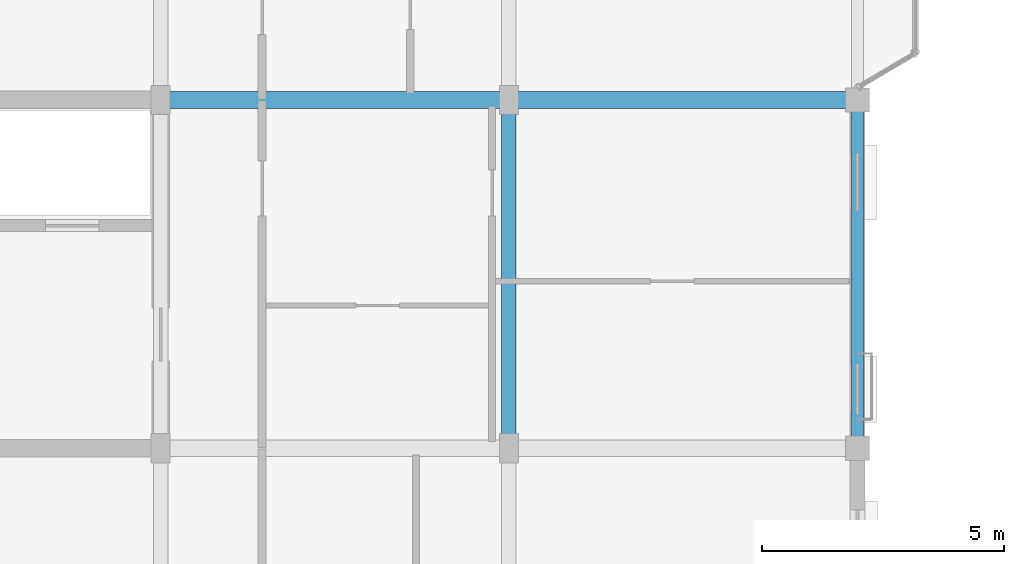
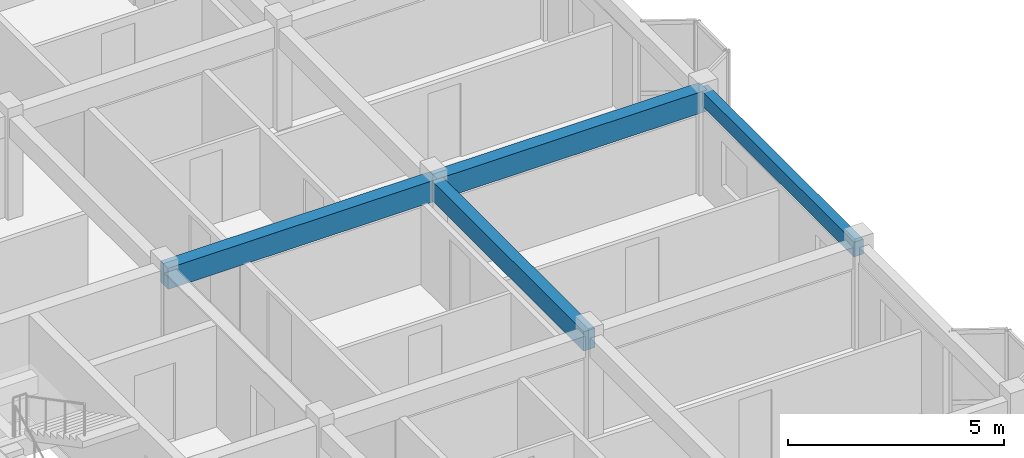
# One storey, part 8 of 64: 4 beams.
"""IFC4 building model written with IfcOpenShell, lengths in metres."""

from ifc_helpers import new_model, si_unit, direction, frame, origin, origin_2d, place, context, subcontext, project, spatial, rectangle, extrude, material, material_profile, profile_set, type_object, element, save


model = new_model("IFC4")

# Units and contexts
model_context = context("Model", 3, precision=1e-05, world=origin(), true_north=direction((0.0, 1.0)))
body_context = subcontext(model_context, "Body", "Model", "MODEL_VIEW")
ifc_project = project(units=[si_unit("LENGTHUNIT", "METRE"), si_unit("AREAUNIT", "SQUARE_METRE"), si_unit("VOLUMEUNIT", "CUBIC_METRE"), si_unit("PLANEANGLEUNIT", "RADIAN"), si_unit("MASSUNIT", "GRAM", prefix="KILO"), si_unit("THERMODYNAMICTEMPERATUREUNIT", "KELVIN"), si_unit("POWERUNIT", "WATT")], contexts=[model_context])

# Site, building, storey
site_placement = place(None, origin())
site = spatial("IfcSite", under=ifc_project, at=site_placement, CompositionType="ELEMENT")
building_placement = place(site_placement, origin())
building = spatial("IfcBuilding", under=site, at=building_placement, Name="Tavuni Mirador Residences", CompositionType="ELEMENT")
storey_placement = place(building_placement, frame((0.0, 0.0, 26.550048828125)))
storey = spatial("IfcBuildingStorey", under=building, at=storey_placement, Name="L08", CompositionType="ELEMENT", Elevation=26.550048828125)

# Beams
ifc_material = material(Name="Precast concrete C40/50", Category="concrete")
ifc_material_profile_1 = material_profile(ifc_material, rectangle(XDim=0.300048828125, YDim=0.550048828125, at=origin_2d()), Name="PC 300x550", Category="concrete")
ifc_profile_set_1 = profile_set([ifc_material_profile_1], Name="Precast concrete C40/50")
beam_type_1 = type_object("IfcBeamType", Name="BT-B550", PredefinedType="BEAM", material=ifc_profile_set_1)
beam_1_placement = place(storey_placement, frame((25.199951171875, 14.39990234375, 2.594970703125), z_axis=(0.0, 1.0, 0.0), x_axis=(-1.0, 0.0, 0.0)))
element("IfcBeam", 1, at=beam_1_placement, inside=storey, type_object=beam_type_1, Name="BMY-BLK-A-L08-03-01", PredefinedType="BEAM", context=body_context, shape_type="SweptSolid", body=[
    extrude(rectangle(XDim=0.300048828125, YDim=0.550048828125, at=origin_2d()), origin(), (0.0, 0.0, 1.0), 7.2001953125),
])
ifc_material_profile_2 = material_profile(ifc_material, rectangle(XDim=0.35009765625, YDim=0.60009765625, at=origin_2d()), Name="PC 350x600", Category="concrete")
ifc_profile_set_2 = profile_set([ifc_material_profile_2], Name="Precast concrete C40/50")
beam_type_2 = type_object("IfcBeamType", Name="BT-B600", PredefinedType="BEAM", material=ifc_profile_set_2)
for number, where, z_axis, x_axis, name in (
    (2, (18.0, 21.60009765625, 2.570068359375), (1.0, 0.0, 0.0), (0.0, 1.0, 0.0), "BMX-BLK-A-L08-02-02"),
    (3, (25.199951171875, 21.60009765625, 2.570068359375), (1.0, 0.0, 0.0), (0.0, 1.0, 0.0), "BMX-BLK-A-L08-03-02"),
):
    element("IfcBeam", number, at=place(storey_placement, frame(where, z_axis=z_axis, x_axis=x_axis)), inside=storey, type_object=beam_type_2, Name=name, PredefinedType="BEAM", context=body_context, shape_type="SweptSolid", body=[
        extrude(rectangle(XDim=0.35009765625, YDim=0.60009765625, at=origin_2d()), origin(), (0.0, 0.0, 1.0), 7.199951171875),
    ])
ifc_material_profile_3 = material_profile(ifc_material, rectangle(XDim=0.25, YDim=0.419921875, at=origin_2d()), Name="PC 250x420", Category="concrete")
ifc_profile_set_3 = profile_set([ifc_material_profile_3], Name="Precast concrete C40/50")
beam_type_3 = type_object("IfcBeamType", Name="BT-SP420", PredefinedType="SPANDREL", material=ifc_profile_set_3)
beam_2_placement = place(storey_placement, frame((32.39990234375, 14.39990234375, 2.659912109375), z_axis=(0.0, 1.0, 0.0), x_axis=(-1.0, 0.0, 0.0)))
element("IfcBeam", 4, at=beam_2_placement, inside=storey, type_object=beam_type_3, Name="BMY-BLK-A-L08-04-01", PredefinedType="SPANDREL", context=body_context, shape_type="SweptSolid", body=[
    extrude(rectangle(XDim=0.25, YDim=0.419921875, at=origin_2d()), origin(), (0.0, 0.0, 1.0), 7.2001953125),
])

save(model, "model.ifc")
